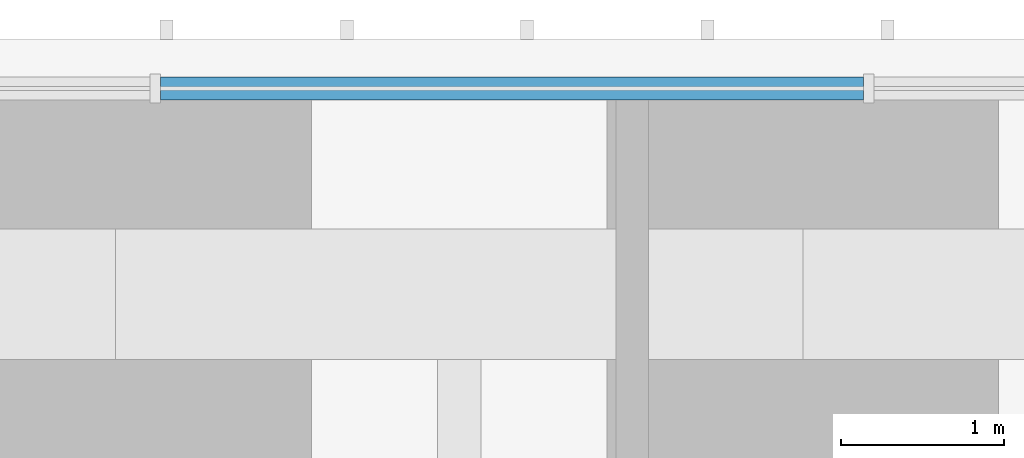
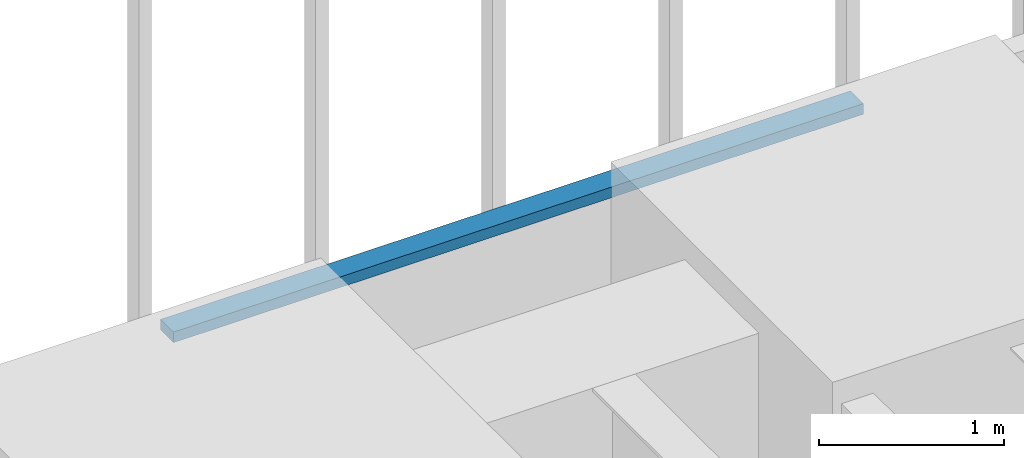
# One storey, part 223 of 256: 1 member, 1 element without a shape of its own.
"""IFC4 building model written with IfcOpenShell, lengths in metres."""

from ifc_helpers import new_model, si_unit, direction, frame, origin, origin_2d, place, context, subcontext, project, spatial, rectangle, extrude, material, material_profile, profile_set, type_object, element, aggregate, save


model = new_model("IFC4")

# Units and contexts
model_context = context("Model", 3, precision=1e-05, world=origin(), true_north=direction((0.0, 1.0)))
body_context = subcontext(model_context, "Body", "Model", "MODEL_VIEW")
ifc_project = project(units=[si_unit("LENGTHUNIT", "METRE"), si_unit("AREAUNIT", "SQUARE_METRE"), si_unit("VOLUMEUNIT", "CUBIC_METRE"), si_unit("PLANEANGLEUNIT", "RADIAN"), si_unit("MASSUNIT", "GRAM", prefix="KILO")], contexts=[model_context])

# Site, building, storey
site_placement = place(None, origin())
site = spatial("IfcSite", under=ifc_project, at=site_placement, CompositionType="ELEMENT")
building_placement = place(site_placement, origin())
building = spatial("IfcBuilding", under=site, at=building_placement, Name="Sandreach Pilgrim Tower", CompositionType="ELEMENT")
storey_placement = place(building_placement, frame((0.0, 0.0, 23.0)))
storey = spatial("IfcBuildingStorey", under=building, at=storey_placement, Name="L04", CompositionType="ELEMENT", Elevation=23.0)

# Curtain wall, member
ifc_material_1 = material(Name="Aluminium framed curtain wall", Category="aluminium")
curtain_wall_type = type_object("IfcCurtainWallType", Name="Hostel tower curtain wall", PredefinedType="NOTDEFINED", material=ifc_material_1)
curtain_wall_placement = place(storey_placement, origin())
curtain_wall = element("IfcCurtainWall", 1, at=curtain_wall_placement, inside=storey, type_object=curtain_wall_type, Name="CW-1 L04 N", PredefinedType="NOTDEFINED")
ifc_material_2 = material(Name="Aluminium extrusion", Category="aluminium")
ifc_material_profile = material_profile(ifc_material_2, rectangle(XDim=0.139892578125, YDim=0.070068359375, at=origin_2d()), Name="CW-1T 140X70")
ifc_profile_set = profile_set([ifc_material_profile], Name="Aluminium extrusion")
member_type = type_object("IfcMemberType", Name="CW-1 transom", PredefinedType="USERDEFINED", material=ifc_profile_set)
member_placement = place(storey_placement, frame((6.58984375, 23.94873046875, 3.60498046875), z_axis=(1.0, 0.0, 0.0), x_axis=(0.0, 1.0, 0.0)))
member = element("IfcMember", 2, at=member_placement, type_object=member_type, Name="CW-1 head transom 7", ObjectType="TRANSOM", PredefinedType="USERDEFINED", context=body_context, shape_type="SweptSolid", body=[
    extrude(rectangle(XDim=0.139892578125, YDim=0.070068359375, at=origin_2d()), origin(), (0.0, 0.0, 1.0), 4.306640625),
])
aggregate(curtain_wall, [member])

save(model, "model.ifc")
